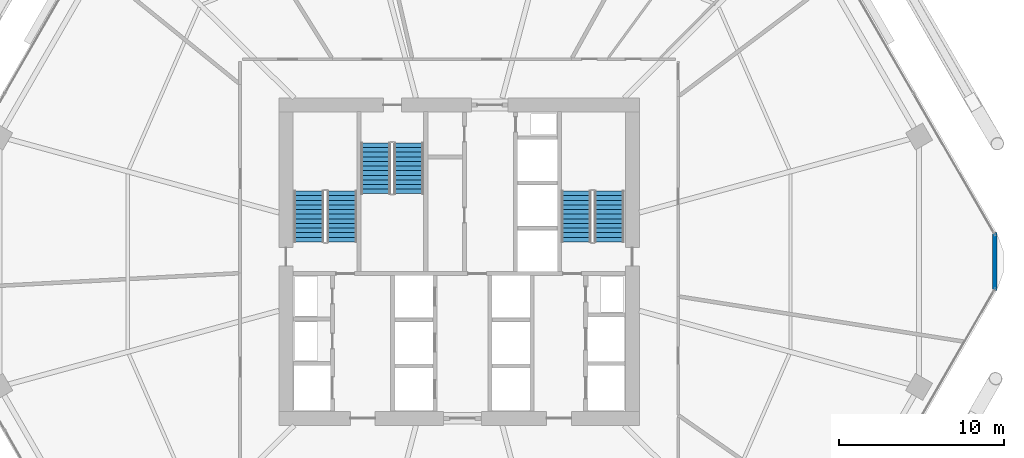
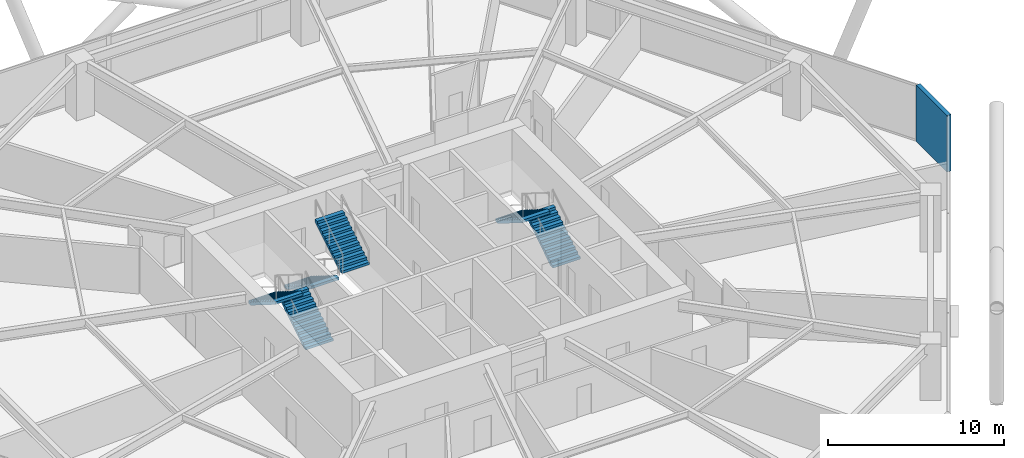
# One storey, part 27 of 30: 6 stair flights, 1 wall, 3 elements without a shape of their own.
"""IFC4 building model written with IfcOpenShell, lengths in metres."""

from ifc_helpers import new_model, si_unit, direction, frame, frame_2d, origin, place, context, subcontext, project, spatial, polyline, rectangle, outline, extrude, material, layer, layer_set, type_object, element, aggregate, save


model = new_model("IFC4")

# Units and contexts
model_context = context("Model", 3, precision=1e-05, world=origin(), true_north=direction((0.0, 1.0)))
body_context = subcontext(model_context, "Body", "Model", "MODEL_VIEW")
ifc_project = project(units=[si_unit("LENGTHUNIT", "METRE"), si_unit("AREAUNIT", "SQUARE_METRE"), si_unit("VOLUMEUNIT", "CUBIC_METRE"), si_unit("PLANEANGLEUNIT", "RADIAN"), si_unit("MASSUNIT", "GRAM", prefix="KILO")], contexts=[model_context])

# Site, building, storey
site_placement = place(None, origin())
site = spatial("IfcSite", under=ifc_project, at=site_placement, CompositionType="ELEMENT")
building_placement = place(site_placement, origin())
building = spatial("IfcBuilding", under=site, at=building_placement, Name="Zuhravey Tower", CompositionType="ELEMENT")
storey_placement = place(building_placement, frame((0.0, 0.0, 33.0)))
storey = spatial("IfcBuildingStorey", under=building, at=storey_placement, Name="L08", CompositionType="ELEMENT", Elevation=33.0)

# Wall
ifc_material_1 = material(Name="Precast concrete C40/50", Category="concrete")
ifc_layer = layer(ifc_material_1, 0.280029296875)
ifc_layer_set = layer_set([ifc_layer], Name="Precast concrete C40/50")
wall_type = type_object("IfcWallType", Name="Crown Architectural Wall 280", PredefinedType="SOLIDWALL", material=ifc_layer_set)
wall_placement = place(storey_placement, frame((68.478515625, 33.757568359375, 0.0), z_axis=(0.0, 0.0, 1.0), x_axis=(0.0, -1.0, 0.0)))
element("IfcWall", 1, at=wall_placement, inside=storey, type_object=wall_type, Name="L08 Rounded Corner Closure Wall EW28-12", PredefinedType="SOLIDWALL", context=body_context, shape_type="SweptSolid", body=[
    extrude(rectangle(XDim=3.51513671875, YDim=0.280029296875, at=frame_2d((1.757568359375, 0.0))), origin(), (0.0, 0.0, 1.0), 3.919921875),
])

# Stair, stair flights
ifc_material_2 = material(Name="Concrete C40/50", Category="concrete")
stair_type = type_object("IfcStairType", Name="School Storey Stair Assembly 4200", PredefinedType="HALF_TURN_STAIR", material=ifc_material_2)
stair_1_placement = place(storey_placement, origin())
stair_1 = element("IfcStair", 2, at=stair_1_placement, inside=storey, type_object=stair_type, Name="L08 Core Exit Stair ST1", PredefinedType="HALF_TURN_STAIR")
stair_flight_type = type_object("IfcStairFlightType", Name="School Storey Stair Flight 4200", PredefinedType="STRAIGHT", material=ifc_material_2)
stair_flight_1_placement = place(storey_placement, frame((28.89990234375, 33.199951171875, 0.0), z_axis=(0.0, 0.0, 1.0), x_axis=(0.0, 1.0, 0.0)))
stair_flight_1 = element("IfcStairFlight", 3, at=stair_flight_1_placement, type_object=stair_flight_type, Name="ST1 flight 1", NumberOfRisers=12, NumberOfTreads=11, PredefinedType="STRAIGHT", RiserHeight=0.175, TreadLength=0.28, context=body_context, shape_type="SweptSolid", body=[
    extrude(outline(polyline([(0.0, 0.0), (0.0, 0.175048828125), (0.280029296875, 0.175048828125), (0.280029296875, 0.35009765625), (0.56005859375, 0.35009765625), (0.56005859375, 0.52490234375), (0.840087890625, 0.52490234375), (0.840087890625, 0.699951171875), (1.1201171875, 0.699951171875), (1.1201171875, 0.875), (1.39990234375, 0.875), (1.39990234375, 1.050048828125), (1.679931640625, 1.050048828125), (1.679931640625, 1.22509765625), (1.9599609375, 1.22509765625), (1.9599609375, 1.39990234375), (2.239990234375, 1.39990234375), (2.239990234375, 1.574951171875), (2.52001953125, 1.574951171875), (2.52001953125, 1.75), (2.800048828125, 1.75), (2.800048828125, 1.925048828125), (3.080078125, 1.925048828125), (3.080078125, 2.10009765625), (3.080078125, 1.748291015625), (0.28271484375, 0.0), (0.0, 0.0)])), frame((0.0, 0.89990234375, 0.0), z_axis=(0.0, -1.0, 0.0), x_axis=(1.0, 0.0, 0.0)), (0.0, 0.0, 1.0), 1.800048828125),
])
stair_flight_2_placement = place(storey_placement, frame((26.89990234375, 36.280029296875, 2.10009765625), z_axis=(0.0, 0.0, 1.0), x_axis=(0.0, -1.0, 0.0)))
stair_flight_2 = element("IfcStairFlight", 4, at=stair_flight_2_placement, type_object=stair_flight_type, Name="ST1 flight 2", NumberOfRisers=12, NumberOfTreads=11, PredefinedType="STRAIGHT", RiserHeight=0.175, TreadLength=0.28, context=body_context, shape_type="SweptSolid", body=[
    extrude(outline(polyline([(0.0, 0.0), (0.0, 0.175048828125), (0.280029296875, 0.175048828125), (0.280029296875, 0.35009765625), (0.56005859375, 0.35009765625), (0.56005859375, 0.52490234375), (0.840087890625, 0.52490234375), (0.840087890625, 0.699951171875), (1.1201171875, 0.699951171875), (1.1201171875, 0.875), (1.39990234375, 0.875), (1.39990234375, 1.050048828125), (1.679931640625, 1.050048828125), (1.679931640625, 1.22509765625), (1.9599609375, 1.22509765625), (1.9599609375, 1.39990234375), (2.239990234375, 1.39990234375), (2.239990234375, 1.574951171875), (2.52001953125, 1.574951171875), (2.52001953125, 1.75), (2.800048828125, 1.75), (2.800048828125, 1.925048828125), (3.080078125, 1.925048828125), (3.080078125, 2.10009765625), (3.080078125, 1.748291015625), (0.28271484375, 0.0), (0.0, 0.0)])), frame((0.0, 0.89990234375, 0.0), z_axis=(0.0, -1.0, 0.0), x_axis=(1.0, 0.0, 0.0)), (0.0, 0.0, 1.0), 1.800048828125),
])
aggregate(stair_1, [stair_flight_1, stair_flight_2])

stair_2_placement = place(storey_placement, origin())
stair_2 = element("IfcStair", 5, at=stair_2_placement, inside=storey, type_object=stair_type, Name="L08 Core Exit Stair ST2", PredefinedType="HALF_TURN_STAIR")
stair_flight_3_placement = place(storey_placement, frame((45.10009765625, 33.199951171875, 0.0), z_axis=(0.0, 0.0, 1.0), x_axis=(0.0, 1.0, 0.0)))
stair_flight_3 = element("IfcStairFlight", 6, at=stair_flight_3_placement, type_object=stair_flight_type, Name="ST2 flight 1", NumberOfRisers=12, NumberOfTreads=11, PredefinedType="STRAIGHT", RiserHeight=0.175, TreadLength=0.28, context=body_context, shape_type="SweptSolid", body=[
    extrude(outline(polyline([(0.0, 0.0), (0.0, 0.175048828125), (0.280029296875, 0.175048828125), (0.280029296875, 0.35009765625), (0.56005859375, 0.35009765625), (0.56005859375, 0.52490234375), (0.840087890625, 0.52490234375), (0.840087890625, 0.699951171875), (1.1201171875, 0.699951171875), (1.1201171875, 0.875), (1.39990234375, 0.875), (1.39990234375, 1.050048828125), (1.679931640625, 1.050048828125), (1.679931640625, 1.22509765625), (1.9599609375, 1.22509765625), (1.9599609375, 1.39990234375), (2.239990234375, 1.39990234375), (2.239990234375, 1.574951171875), (2.52001953125, 1.574951171875), (2.52001953125, 1.75), (2.800048828125, 1.75), (2.800048828125, 1.925048828125), (3.080078125, 1.925048828125), (3.080078125, 2.10009765625), (3.080078125, 1.748291015625), (0.28271484375, 0.0), (0.0, 0.0)])), frame((0.0, 0.89990234375, 0.0), z_axis=(0.0, -1.0, 0.0), x_axis=(1.0, 0.0, 0.0)), (0.0, 0.0, 1.0), 1.800048828125),
])
stair_flight_4_placement = place(storey_placement, frame((43.10009765625, 36.280029296875, 2.10009765625), z_axis=(0.0, 0.0, 1.0), x_axis=(0.0, -1.0, 0.0)))
stair_flight_4 = element("IfcStairFlight", 7, at=stair_flight_4_placement, type_object=stair_flight_type, Name="ST2 flight 2", NumberOfRisers=12, NumberOfTreads=11, PredefinedType="STRAIGHT", RiserHeight=0.175, TreadLength=0.28, context=body_context, shape_type="SweptSolid", body=[
    extrude(outline(polyline([(0.0, 0.0), (0.0, 0.175048828125), (0.280029296875, 0.175048828125), (0.280029296875, 0.35009765625), (0.56005859375, 0.35009765625), (0.56005859375, 0.52490234375), (0.840087890625, 0.52490234375), (0.840087890625, 0.699951171875), (1.1201171875, 0.699951171875), (1.1201171875, 0.875), (1.39990234375, 0.875), (1.39990234375, 1.050048828125), (1.679931640625, 1.050048828125), (1.679931640625, 1.22509765625), (1.9599609375, 1.22509765625), (1.9599609375, 1.39990234375), (2.239990234375, 1.39990234375), (2.239990234375, 1.574951171875), (2.52001953125, 1.574951171875), (2.52001953125, 1.75), (2.800048828125, 1.75), (2.800048828125, 1.925048828125), (3.080078125, 1.925048828125), (3.080078125, 2.10009765625), (3.080078125, 1.748291015625), (0.28271484375, 0.0), (0.0, 0.0)])), frame((0.0, 0.89990234375, 0.0), z_axis=(0.0, -1.0, 0.0), x_axis=(1.0, 0.0, 0.0)), (0.0, 0.0, 1.0), 1.800048828125),
])
aggregate(stair_2, [stair_flight_3, stair_flight_4])

stair_3_placement = place(storey_placement, origin())
stair_3 = element("IfcStair", 8, at=stair_3_placement, inside=storey, type_object=stair_type, Name="L08 Core Exit Stair ST3", PredefinedType="HALF_TURN_STAIR")
stair_flight_5_placement = place(storey_placement, frame((30.949951171875, 39.199951171875, 0.0), z_axis=(0.0, 0.0, 1.0), x_axis=(0.0, -1.0, 0.0)))
stair_flight_5 = element("IfcStairFlight", 9, at=stair_flight_5_placement, type_object=stair_flight_type, Name="ST3 flight 1", NumberOfRisers=12, NumberOfTreads=11, PredefinedType="STRAIGHT", RiserHeight=0.175, TreadLength=0.28, context=body_context, shape_type="SweptSolid", body=[
    extrude(outline(polyline([(0.0, 0.0), (0.0, 0.175048828125), (0.280029296875, 0.175048828125), (0.280029296875, 0.35009765625), (0.56005859375, 0.35009765625), (0.56005859375, 0.52490234375), (0.840087890625, 0.52490234375), (0.840087890625, 0.699951171875), (1.1201171875, 0.699951171875), (1.1201171875, 0.875), (1.39990234375, 0.875), (1.39990234375, 1.050048828125), (1.679931640625, 1.050048828125), (1.679931640625, 1.22509765625), (1.9599609375, 1.22509765625), (1.9599609375, 1.39990234375), (2.239990234375, 1.39990234375), (2.239990234375, 1.574951171875), (2.52001953125, 1.574951171875), (2.52001953125, 1.75), (2.800048828125, 1.75), (2.800048828125, 1.925048828125), (3.080078125, 1.925048828125), (3.080078125, 2.10009765625), (3.080078125, 1.748291015625), (0.28271484375, 0.0), (0.0, 0.0)])), frame((0.0, 0.89990234375, 0.0), z_axis=(0.0, -1.0, 0.0), x_axis=(1.0, 0.0, 0.0)), (0.0, 0.0, 1.0), 1.800048828125),
])
stair_flight_6_placement = place(storey_placement, frame((32.949951171875, 36.1201171875, 2.10009765625), z_axis=(0.0, 0.0, 1.0), x_axis=(0.0, 1.0, 0.0)))
stair_flight_6 = element("IfcStairFlight", 10, at=stair_flight_6_placement, type_object=stair_flight_type, Name="ST3 flight 2", NumberOfRisers=12, NumberOfTreads=11, PredefinedType="STRAIGHT", RiserHeight=0.175, TreadLength=0.28, context=body_context, shape_type="SweptSolid", body=[
    extrude(outline(polyline([(0.0, 0.0), (0.0, 0.175048828125), (0.280029296875, 0.175048828125), (0.280029296875, 0.35009765625), (0.56005859375, 0.35009765625), (0.56005859375, 0.52490234375), (0.840087890625, 0.52490234375), (0.840087890625, 0.699951171875), (1.1201171875, 0.699951171875), (1.1201171875, 0.875), (1.39990234375, 0.875), (1.39990234375, 1.050048828125), (1.679931640625, 1.050048828125), (1.679931640625, 1.22509765625), (1.9599609375, 1.22509765625), (1.9599609375, 1.39990234375), (2.239990234375, 1.39990234375), (2.239990234375, 1.574951171875), (2.52001953125, 1.574951171875), (2.52001953125, 1.75), (2.800048828125, 1.75), (2.800048828125, 1.925048828125), (3.080078125, 1.925048828125), (3.080078125, 2.10009765625), (3.080078125, 1.748291015625), (0.28271484375, 0.0), (0.0, 0.0)])), frame((0.0, 0.89990234375, 0.0), z_axis=(0.0, -1.0, 0.0), x_axis=(1.0, 0.0, 0.0)), (0.0, 0.0, 1.0), 1.800048828125),
])
aggregate(stair_3, [stair_flight_5, stair_flight_6])

save(model, "model.ifc")
